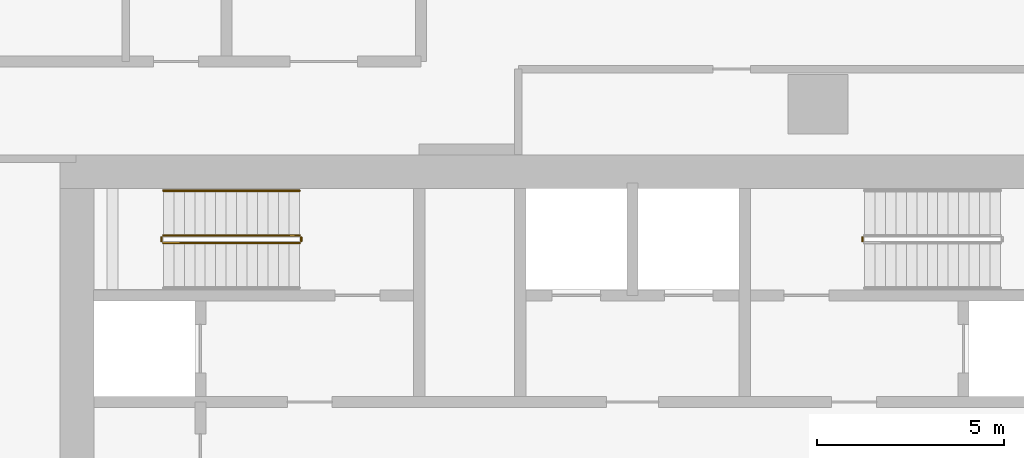
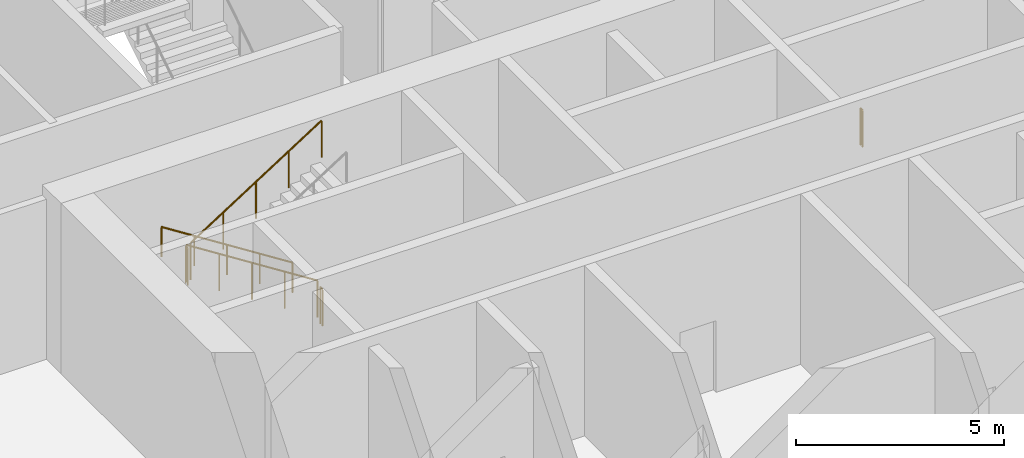
# One storey, part 20 of 31: 6 railings.
"""IFC4 building model written with IfcOpenShell, lengths in metres."""

from ifc_helpers import new_model, si_unit, direction, frame, origin, origin_2d, place, context, subcontext, project, spatial, circle, extrude, material, type_object, element, save


model = new_model("IFC4")

# Units and contexts
model_context = context("Model", 3, precision=1e-05, world=origin(), true_north=direction((0.0, 1.0)))
body_context = subcontext(model_context, "Body", "Model", "MODEL_VIEW")
ifc_project = project(units=[si_unit("LENGTHUNIT", "METRE"), si_unit("AREAUNIT", "SQUARE_METRE"), si_unit("VOLUMEUNIT", "CUBIC_METRE"), si_unit("PLANEANGLEUNIT", "RADIAN"), si_unit("MASSUNIT", "GRAM", prefix="KILO")], contexts=[model_context])

# Site, building, storey
site_placement = place(None, origin())
site = spatial("IfcSite", under=ifc_project, at=site_placement, CompositionType="ELEMENT")
building_placement = place(site_placement, origin())
building = spatial("IfcBuilding", under=site, at=building_placement, Name="Ogive Portal Towers", CompositionType="ELEMENT")
storey_placement = place(building_placement, frame((0.0, 0.0, 13.5)))
storey = spatial("IfcBuildingStorey", under=building, at=storey_placement, Name="L02", CompositionType="ELEMENT", Elevation=13.5)

# Railings
ifc_material_1 = material(Name="Stainless steel balustrade", Category="steel")
railing_type_1 = type_object("IfcRailingType", Name="INT-GUARD", PredefinedType="GUARDRAIL", material=ifc_material_1)
railing_1_placement = place(storey_placement, frame((37.449951171875, 37.800048828125, 0.178466796875)))
element("IfcRailing", 1, at=railing_1_placement, inside=storey, type_object=railing_type_1, Name="L02 ST-A1 stair guard 1", PredefinedType="GUARDRAIL", context=body_context, shape_type="SweptSolid", body=[
    extrude(circle(Radius=0.02392578125, at=origin_2d()), frame((0.0, 0.0, 1.076171875), z_axis=(-0.843111507901, 0.0, 0.53773877045), x_axis=(0.0, -1.0, 0.0)), (0.0, 0.0, 1.0), 4.317138671875),
    extrude(circle(Radius=0.02099609375, at=origin_2d()), origin(), (0.0, 0.0, 1.0), 1.052001953125),
    extrude(circle(Radius=0.02099609375, at=origin_2d()), frame((-0.909912109375, 0.0, 0.580322265625)), (0.0, 0.0, 1.0), 1.052001953125),
    extrude(circle(Radius=0.02099609375, at=origin_2d()), frame((-1.81982421875, 0.0, 1.16064453125)), (0.0, 0.0, 1.0), 1.052001953125),
    extrude(circle(Radius=0.02099609375, at=origin_2d()), frame((-2.72998046875, 0.0, 1.7412109375)), (0.0, 0.0, 1.0), 1.052001953125),
    extrude(circle(Radius=0.02099609375, at=origin_2d()), frame((-3.639892578125, 0.0, 2.321533203125)), (0.0, 0.0, 1.0), 1.052001953125),
])
railing_2_placement = place(storey_placement, frame((33.760009765625, 37.75, 2.5)))
element("IfcRailing", 2, at=railing_2_placement, inside=storey, type_object=railing_type_1, Name="L02 ST-A1 stair guard 2", PredefinedType="GUARDRAIL", context=body_context, shape_type="SweptSolid", body=[
    extrude(circle(Radius=0.02392578125, at=origin_2d()), frame((0.0, 0.0, 1.076171875), z_axis=(0.0, -1.0, 0.0), x_axis=(1.0, 0.0, 0.0)), (0.0, 0.0, 1.0), 0.10009765625),
    extrude(circle(Radius=0.02099609375, at=origin_2d()), origin(), (0.0, 0.0, 1.0), 1.052001953125),
    extrude(circle(Radius=0.02099609375, at=origin_2d()), frame((0.0, -0.10009765625, 0.0)), (0.0, 0.0, 1.0), 1.052001953125),
])
railing_3_placement = place(storey_placement, frame((33.81005859375, 37.60009765625, 2.678466796875)))
element("IfcRailing", 3, at=railing_3_placement, inside=storey, type_object=railing_type_1, Name="L02 ST-A1 stair guard 3", PredefinedType="GUARDRAIL", context=body_context, shape_type="SweptSolid", body=[
    extrude(circle(Radius=0.02392578125, at=origin_2d()), frame((0.0, 0.0, 1.076171875), z_axis=(0.843111507901, 0.0, 0.53773877045), x_axis=(0.0, 1.0, 0.0)), (0.0, 0.0, 1.0), 4.317138671875),
    extrude(circle(Radius=0.02099609375, at=origin_2d()), origin(), (0.0, 0.0, 1.0), 1.052001953125),
    extrude(circle(Radius=0.02099609375, at=origin_2d()), frame((0.909912109375, 0.0, 0.580322265625)), (0.0, 0.0, 1.0), 1.052001953125),
    extrude(circle(Radius=0.02099609375, at=origin_2d()), frame((1.81982421875, 0.0, 1.16064453125)), (0.0, 0.0, 1.0), 1.052001953125),
    extrude(circle(Radius=0.02099609375, at=origin_2d()), frame((2.72998046875, 0.0, 1.7412109375)), (0.0, 0.0, 1.0), 1.052001953125),
    extrude(circle(Radius=0.02099609375, at=origin_2d()), frame((3.639892578125, 0.0, 2.321533203125)), (0.0, 0.0, 1.0), 1.052001953125),
])
railing_4_placement = place(storey_placement, frame((37.5, 37.75, 0.0)))
element("IfcRailing", 4, at=railing_4_placement, inside=storey, type_object=railing_type_1, Name="L02 ST-A1 stair guard 4", PredefinedType="GUARDRAIL", context=body_context, shape_type="SweptSolid", body=[
    extrude(circle(Radius=0.02392578125, at=origin_2d()), frame((0.0, 0.0, 1.076171875), z_axis=(0.0, -1.0, 0.0), x_axis=(1.0, 0.0, 0.0)), (0.0, 0.0, 1.0), 0.10009765625),
    extrude(circle(Radius=0.02099609375, at=origin_2d()), origin(), (0.0, 0.0, 1.0), 1.052001953125),
    extrude(circle(Radius=0.02099609375, at=origin_2d()), frame((0.0, -0.10009765625, 0.0)), (0.0, 0.0, 1.0), 1.052001953125),
])
railing_5_placement = place(storey_placement, frame((52.5, 37.64990234375, 0.0)))
element("IfcRailing", 5, at=railing_5_placement, inside=storey, type_object=railing_type_1, Name="L02 ST-A2 stair guard 4", PredefinedType="GUARDRAIL", context=body_context, shape_type="SweptSolid", body=[
    extrude(circle(Radius=0.02392578125, at=origin_2d()), frame((0.0, 0.0, 1.076171875), z_axis=(0.0, 1.0, 0.0), x_axis=(-1.0, 0.0, 0.0)), (0.0, 0.0, 1.0), 0.10009765625),
    extrude(circle(Radius=0.02099609375, at=origin_2d()), origin(), (0.0, 0.0, 1.0), 1.052001953125),
    extrude(circle(Radius=0.02099609375, at=origin_2d()), frame((0.0, 0.10009765625, 0.0)), (0.0, 0.0, 1.0), 1.052001953125),
])
ifc_material_2 = material(Name="Stainless steel handrail", Category="steel")
railing_type_2 = type_object("IfcRailingType", Name="INT-HANDRAIL", PredefinedType="HANDRAIL", material=ifc_material_2)
railing_6_placement = place(storey_placement, frame((37.449951171875, 39.0, 0.178466796875)))
element("IfcRailing", 6, at=railing_6_placement, inside=storey, type_object=railing_type_2, Name="L02 ST-A1 stair handrail 1", PredefinedType="HANDRAIL", context=body_context, shape_type="SweptSolid", body=[
    extrude(circle(Radius=0.02392578125, at=origin_2d()), frame((0.0, 0.0, 0.8759765625), z_axis=(-0.843111507901, 0.0, 0.53773877045), x_axis=(0.0, -1.0, 0.0)), (0.0, 0.0, 1.0), 4.317138671875),
    extrude(circle(Radius=0.02099609375, at=origin_2d()), origin(), (0.0, 0.0, 1.0), 0.851806640625),
    extrude(circle(Radius=0.02099609375, at=origin_2d()), frame((-0.909912109375, 0.0, 0.580322265625)), (0.0, 0.0, 1.0), 0.851806640625),
    extrude(circle(Radius=0.02099609375, at=origin_2d()), frame((-1.81982421875, 0.0, 1.16064453125)), (0.0, 0.0, 1.0), 0.851806640625),
    extrude(circle(Radius=0.02099609375, at=origin_2d()), frame((-2.72998046875, 0.0, 1.7412109375)), (0.0, 0.0, 1.0), 0.851806640625),
    extrude(circle(Radius=0.02099609375, at=origin_2d()), frame((-3.639892578125, 0.0, 2.321533203125)), (0.0, 0.0, 1.0), 0.851806640625),
])

save(model, "model.ifc")
